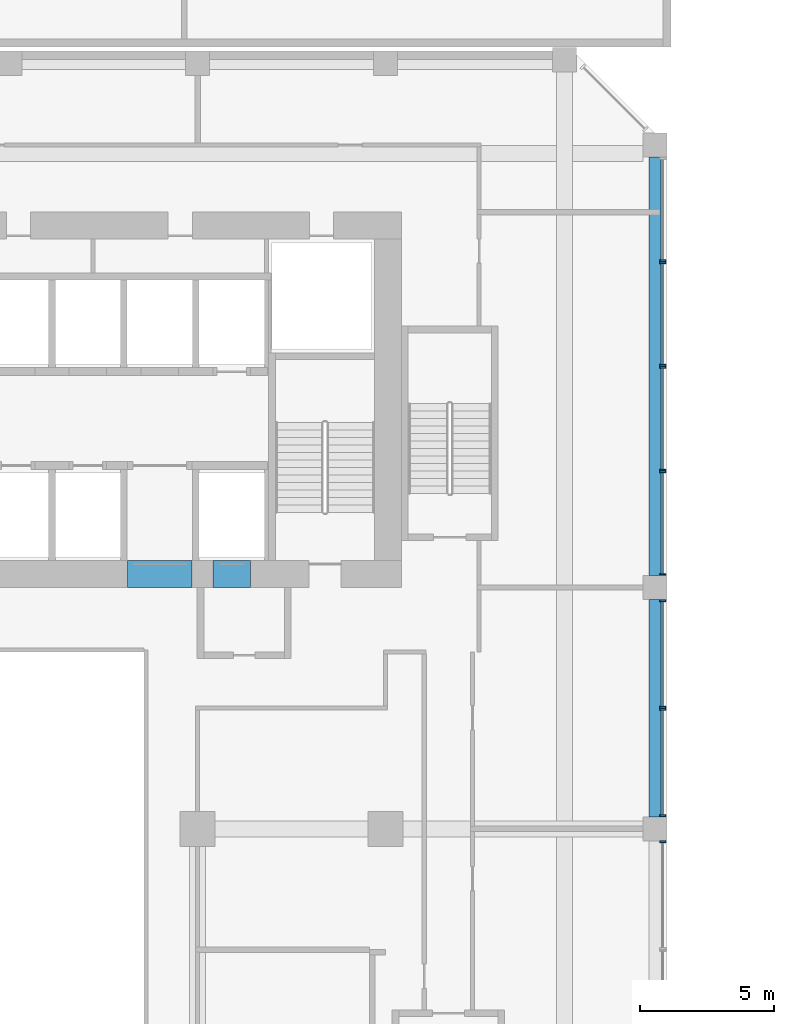
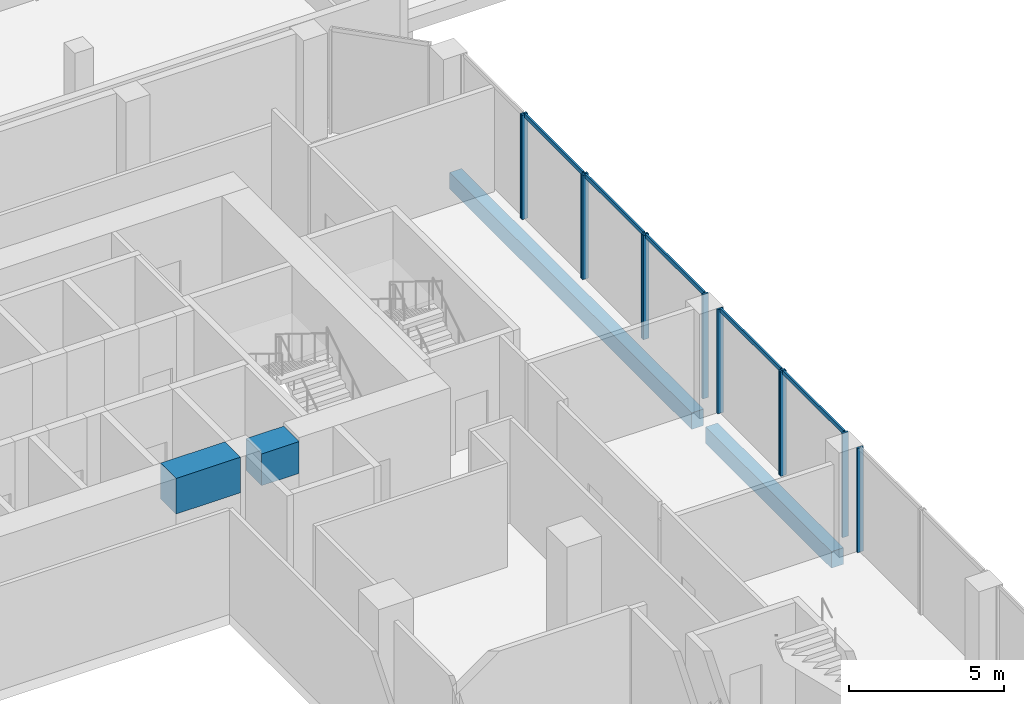
# One storey, part 7 of 36: 17 members, 4 beams, 7 elements without a shape of their own.
"""IFC4 building model written with IfcOpenShell, lengths in metres."""

from ifc_helpers import new_model, si_unit, direction, frame, origin, origin_2d, place, context, subcontext, project, spatial, rectangle, extrude, source, transform, mapped, material, material_profile, profile_set, type_object, element, aggregate, save


model = new_model("IFC4")

# Units and contexts
model_context = context("Model", 3, precision=1e-05, world=origin(), true_north=direction((0.0, 1.0)))
body_context = subcontext(model_context, "Body", "Model", "MODEL_VIEW")
ifc_project = project(units=[si_unit("LENGTHUNIT", "METRE"), si_unit("AREAUNIT", "SQUARE_METRE"), si_unit("VOLUMEUNIT", "CUBIC_METRE"), si_unit("PLANEANGLEUNIT", "RADIAN"), si_unit("MASSUNIT", "GRAM", prefix="KILO")], contexts=[model_context])

# Site, building, storey
site_placement = place(None, origin())
site = spatial("IfcSite", under=ifc_project, at=site_placement, CompositionType="ELEMENT")
building_placement = place(site_placement, origin())
building = spatial("IfcBuilding", under=site, at=building_placement, Name="Kilnfold Tower and Market Hall", CompositionType="ELEMENT")
storey_placement = place(building_placement, frame((0.0, 0.0, 18.0)))
storey = spatial("IfcBuildingStorey", under=building, at=storey_placement, Name="L03", CompositionType="ELEMENT", Elevation=18.0)

# Beams
ifc_material_1 = material(Name="Concrete C80", Category="concrete")
ifc_material_profile_1 = material_profile(ifc_material_1, rectangle(XDim=1.0, YDim=1.25, at=origin_2d()), Name="RC 1000x1250")
ifc_profile_set_1 = profile_set([ifc_material_profile_1], Name="Concrete C80")
beam_type_1 = type_object("IfcBeamType", Name="COUPLING BEAM 1000X1250 C80", PredefinedType="BEAM", material=ifc_profile_set_1)
shared_shape_1 = source(origin(), body_context, "Body", "SweptSolid", [
    extrude(rectangle(XDim=1.0, YDim=1.25, at=origin_2d()), origin(), (0.0, 0.0, 1.0), 1.39990234375),
])
beam_1_placement = place(storey_placement, frame((11.070068359375, 8.5, 3.324951171875), z_axis=(1.0, 0.0, 0.0), x_axis=(0.0, 1.0, 0.0)))
element("IfcBeam", 1, at=beam_1_placement, inside=storey, type_object=beam_type_1, Name="Coupling beam CB1250-80-CORE.46", PredefinedType="BEAM", context=body_context, shape_type="MappedRepresentation", body=[
    mapped(shared_shape_1, transform((0.0, 0.0, 0.0))),
])
ifc_material_2 = material(Name="Concrete C80", Category="concrete")
ifc_material_profile_2 = material_profile(ifc_material_2, rectangle(XDim=1.0, YDim=1.39990234375, at=origin_2d()), Name="RC 1000x1400")
ifc_profile_set_2 = profile_set([ifc_material_profile_2], Name="Concrete C80")
beam_type_2 = type_object("IfcBeamType", Name="COUPLING BEAM 1000X1400 C80", PredefinedType="BEAM", material=ifc_profile_set_2)
shared_shape_2 = source(origin(), body_context, "Body", "SweptSolid", [
    extrude(rectangle(XDim=1.0, YDim=1.39990234375, at=origin_2d()), origin(), (0.0, 0.0, 1.0), 2.400146484375),
])
beam_2_placement = place(storey_placement, frame((7.889892578125, 8.5, 3.39990234375), z_axis=(1.0, 0.0, 0.0), x_axis=(0.0, 1.0, 0.0)))
element("IfcBeam", 2, at=beam_2_placement, inside=storey, type_object=beam_type_2, Name="Coupling beam CB1400-80-CORE.45", PredefinedType="BEAM", context=body_context, shape_type="MappedRepresentation", body=[
    mapped(shared_shape_2, transform((0.0, 0.0, 0.0))),
])
ifc_material_3 = material(Name="Concrete C45", Category="concrete")
ifc_material_profile_3 = material_profile(ifc_material_3, rectangle(XDim=0.449951171875, YDim=0.64990234375, at=origin_2d()), Name="RC 450x650")
ifc_profile_set_3 = profile_set([ifc_material_profile_3], Name="Concrete C45")
beam_type_3 = type_object("IfcBeamType", Name="EDGE BEAM 450X650 C45", PredefinedType="BEAM", material=ifc_profile_set_3)
shared_shape_3 = source(origin(), body_context, "Body", "SweptSolid", [
    extrude(rectangle(XDim=0.449951171875, YDim=0.64990234375, at=origin_2d()), origin(), (0.0, 0.0, 1.0), 8.10009765625),
])
beam_3_placement = place(storey_placement, frame((27.550048828125, -0.550048828125, -0.72509765625), z_axis=(0.0, 1.0, 0.0), x_axis=(-1.0, 0.0, 0.0)))
element("IfcBeam", 3, at=beam_3_placement, inside=storey, type_object=beam_type_3, Name="Beam EB650-B1.53", PredefinedType="BEAM", context=body_context, shape_type="MappedRepresentation", body=[
    mapped(shared_shape_3, transform((0.0, 0.0, 0.0))),
])
shared_shape_4 = source(origin(), body_context, "Body", "SweptSolid", [
    extrude(rectangle(XDim=0.449951171875, YDim=0.64990234375, at=origin_2d()), origin(), (0.0, 0.0, 1.0), 15.60009765625),
])
beam_4_placement = place(storey_placement, frame((27.550048828125, 8.449951171875, -0.72509765625), z_axis=(0.0, 1.0, 0.0), x_axis=(-1.0, 0.0, 0.0)))
element("IfcBeam", 4, at=beam_4_placement, inside=storey, type_object=beam_type_3, Name="Beam EB650-B1.59", PredefinedType="BEAM", context=body_context, shape_type="MappedRepresentation", body=[
    mapped(shared_shape_4, transform((0.0, 0.0, 0.0))),
])

# Curtain wall, member
ifc_material_4 = material(Name="Aluminium and double glazing", Category="aluminium")
curtain_wall_type = type_object("IfcCurtainWallType", Name="CW BASE PODIUM GLAZING", PredefinedType="NOTDEFINED", material=ifc_material_4)
curtain_wall_1_placement = place(storey_placement, origin())
curtain_wall_1 = element("IfcCurtainWall", 5, at=curtain_wall_1_placement, inside=storey, type_object=curtain_wall_type, Name="Curtain wall CW4 L03 E", PredefinedType="NOTDEFINED")
ifc_material_5 = material(Name="Aluminium", Category="aluminium")
ifc_material_profile_4 = material_profile(ifc_material_5, rectangle(XDim=0.070068359375, YDim=0.219970703125, at=origin_2d()), Name="MULLION 70x220")
ifc_profile_set_4 = profile_set([ifc_material_profile_4], Name="Aluminium")
member_type_1 = type_object("IfcMemberType", Name="MULLION 70X220", PredefinedType="MULLION", material=ifc_profile_set_4)
shared_shape_5 = source(origin(), body_context, "Body", "SweptSolid", [
    extrude(rectangle(XDim=0.070068359375, YDim=0.219970703125, at=origin_2d()), origin(), (0.0, 0.0, 1.0), 4.10009765625),
])
member_1_placement = place(storey_placement, frame((27.85009765625, -1.485107421875, 0.0), z_axis=(0.0, 0.0, 1.0), x_axis=(0.0, 1.0, 0.0)))
member_1 = element("IfcMember", 6, at=member_1_placement, type_object=member_type_1, Name="CW4 mullion 2", PredefinedType="MULLION", context=body_context, shape_type="MappedRepresentation", body=[
    mapped(shared_shape_5, transform((0.0, 0.0, 0.0))),
])
aggregate(curtain_wall_1, [member_1])

# Curtain wall, members
curtain_wall_2_placement = place(storey_placement, origin())
curtain_wall_2 = element("IfcCurtainWall", 7, at=curtain_wall_2_placement, inside=storey, type_object=curtain_wall_type, Name="Curtain wall CW4 L03 E", PredefinedType="NOTDEFINED")
member_2_placement = place(storey_placement, frame((27.85009765625, -0.514892578125, 0.0), z_axis=(0.0, 0.0, 1.0), x_axis=(0.0, 1.0, 0.0)))
member_2 = element("IfcMember", 8, at=member_2_placement, type_object=member_type_1, Name="CW4 mullion 1", PredefinedType="MULLION", context=body_context, shape_type="MappedRepresentation", body=[
    mapped(shared_shape_5, transform((0.0, 0.0, 0.0))),
])
member_3_placement = place(storey_placement, frame((27.85009765625, 3.465087890625, 0.0), z_axis=(0.0, 0.0, 1.0), x_axis=(0.0, 1.0, 0.0)))
member_3 = element("IfcMember", 9, at=member_3_placement, type_object=member_type_1, Name="CW4 mullion 2", PredefinedType="MULLION", context=body_context, shape_type="MappedRepresentation", body=[
    mapped(shared_shape_5, transform((0.0, 0.0, 0.0))),
])

curtain_wall_3_placement = place(storey_placement, origin())
curtain_wall_3 = element("IfcCurtainWall", 10, at=curtain_wall_3_placement, inside=storey, type_object=curtain_wall_type, Name="Curtain wall CW4 L03 E", PredefinedType="NOTDEFINED")
member_4_placement = place(storey_placement, frame((27.85009765625, 3.534912109375, 0.0), z_axis=(0.0, 0.0, 1.0), x_axis=(0.0, 1.0, 0.0)))
member_4 = element("IfcMember", 11, at=member_4_placement, type_object=member_type_1, Name="CW4 mullion 1", PredefinedType="MULLION", context=body_context, shape_type="MappedRepresentation", body=[
    mapped(shared_shape_5, transform((0.0, 0.0, 0.0))),
])
member_5_placement = place(storey_placement, frame((27.85009765625, 7.514892578125, 0.0), z_axis=(0.0, 0.0, 1.0), x_axis=(0.0, 1.0, 0.0)))
member_5 = element("IfcMember", 12, at=member_5_placement, type_object=member_type_1, Name="CW4 mullion 2", PredefinedType="MULLION", context=body_context, shape_type="MappedRepresentation", body=[
    mapped(shared_shape_5, transform((0.0, 0.0, 0.0))),
])

curtain_wall_4_placement = place(storey_placement, origin())
curtain_wall_4 = element("IfcCurtainWall", 13, at=curtain_wall_4_placement, inside=storey, type_object=curtain_wall_type, Name="Curtain wall CW4 L03 E", PredefinedType="NOTDEFINED")
member_6_placement = place(storey_placement, frame((27.85009765625, 8.485107421875, 0.0), z_axis=(0.0, 0.0, 1.0), x_axis=(0.0, 1.0, 0.0)))
member_6 = element("IfcMember", 14, at=member_6_placement, type_object=member_type_1, Name="CW4 mullion 1", PredefinedType="MULLION", context=body_context, shape_type="MappedRepresentation", body=[
    mapped(shared_shape_5, transform((0.0, 0.0, 0.0))),
])
member_7_placement = place(storey_placement, frame((27.85009765625, 12.31494140625, 0.0), z_axis=(0.0, 0.0, 1.0), x_axis=(0.0, 1.0, 0.0)))
member_7 = element("IfcMember", 15, at=member_7_placement, type_object=member_type_1, Name="CW4 mullion 2", PredefinedType="MULLION", context=body_context, shape_type="MappedRepresentation", body=[
    mapped(shared_shape_5, transform((0.0, 0.0, 0.0))),
])

curtain_wall_5_placement = place(storey_placement, origin())
curtain_wall_5 = element("IfcCurtainWall", 16, at=curtain_wall_5_placement, inside=storey, type_object=curtain_wall_type, Name="Curtain wall CW4 L03 E", PredefinedType="NOTDEFINED")
member_8_placement = place(storey_placement, frame((27.85009765625, 12.385009765625, 0.0), z_axis=(0.0, 0.0, 1.0), x_axis=(0.0, 1.0, 0.0)))
member_8 = element("IfcMember", 17, at=member_8_placement, type_object=member_type_1, Name="CW4 mullion 1", PredefinedType="MULLION", context=body_context, shape_type="MappedRepresentation", body=[
    mapped(shared_shape_5, transform((0.0, 0.0, 0.0))),
])
member_9_placement = place(storey_placement, frame((27.85009765625, 16.215087890625, 0.0), z_axis=(0.0, 0.0, 1.0), x_axis=(0.0, 1.0, 0.0)))
member_9 = element("IfcMember", 18, at=member_9_placement, type_object=member_type_1, Name="CW4 mullion 2", PredefinedType="MULLION", context=body_context, shape_type="MappedRepresentation", body=[
    mapped(shared_shape_5, transform((0.0, 0.0, 0.0))),
])

curtain_wall_6_placement = place(storey_placement, origin())
curtain_wall_6 = element("IfcCurtainWall", 19, at=curtain_wall_6_placement, inside=storey, type_object=curtain_wall_type, Name="Curtain wall CW4 L03 E", PredefinedType="NOTDEFINED")
member_10_placement = place(storey_placement, frame((27.85009765625, 16.284912109375, 0.0), z_axis=(0.0, 0.0, 1.0), x_axis=(0.0, 1.0, 0.0)))
member_10 = element("IfcMember", 20, at=member_10_placement, type_object=member_type_1, Name="CW4 mullion 1", PredefinedType="MULLION", context=body_context, shape_type="MappedRepresentation", body=[
    mapped(shared_shape_5, transform((0.0, 0.0, 0.0))),
])
member_11_placement = place(storey_placement, frame((27.85009765625, 20.114990234375, 0.0), z_axis=(0.0, 0.0, 1.0), x_axis=(0.0, 1.0, 0.0)))
member_11 = element("IfcMember", 21, at=member_11_placement, type_object=member_type_1, Name="CW4 mullion 2", PredefinedType="MULLION", context=body_context, shape_type="MappedRepresentation", body=[
    mapped(shared_shape_5, transform((0.0, 0.0, 0.0))),
])

# Curtain wall, member
curtain_wall_7_placement = place(storey_placement, origin())
curtain_wall_7 = element("IfcCurtainWall", 22, at=curtain_wall_7_placement, inside=storey, type_object=curtain_wall_type, Name="Curtain wall CW4 L03 E", PredefinedType="NOTDEFINED")
member_12_placement = place(storey_placement, frame((27.85009765625, 20.18505859375, 0.0), z_axis=(0.0, 0.0, 1.0), x_axis=(0.0, 1.0, 0.0)))
member_12 = element("IfcMember", 23, at=member_12_placement, type_object=member_type_1, Name="CW4 mullion 1", PredefinedType="MULLION", context=body_context, shape_type="MappedRepresentation", body=[
    mapped(shared_shape_5, transform((0.0, 0.0, 0.0))),
])
aggregate(curtain_wall_7, [member_12])

# Member
ifc_material_6 = material(Name="Aluminium", Category="aluminium")
ifc_material_profile_5 = material_profile(ifc_material_6, rectangle(XDim=0.070068359375, YDim=0.159912109375, at=origin_2d()), Name="TRANSOM 70x160")
ifc_profile_set_5 = profile_set([ifc_material_profile_5], Name="Aluminium")
member_type_2 = type_object("IfcMemberType", Name="TRANSOM 70X160", PredefinedType="USERDEFINED", material=ifc_profile_set_5)
shared_shape_6 = source(origin(), body_context, "Body", "SweptSolid", [
    extrude(rectangle(XDim=0.070068359375, YDim=0.159912109375, at=origin_2d()), origin(), (0.0, 0.0, 1.0), 3.909912109375),
])
member_13_placement = place(storey_placement, frame((27.85009765625, -0.47998046875, 4.06494140625), z_axis=(0.0, 1.0, 0.0), x_axis=(-1.0, 0.0, 0.0)))
member_13 = element("IfcMember", 24, at=member_13_placement, type_object=member_type_2, Name="CW4 transom 1.2", ObjectType="TRANSOM", PredefinedType="USERDEFINED", context=body_context, shape_type="MappedRepresentation", body=[
    mapped(shared_shape_6, transform((0.0, 0.0, 0.0))),
])

aggregate(curtain_wall_2, [member_2, member_3, member_13])

member_14_placement = place(storey_placement, frame((27.85009765625, 3.570068359375, 4.06494140625), z_axis=(0.0, 1.0, 0.0), x_axis=(-1.0, 0.0, 0.0)))
member_14 = element("IfcMember", 25, at=member_14_placement, type_object=member_type_2, Name="CW4 transom 1.2", ObjectType="TRANSOM", PredefinedType="USERDEFINED", context=body_context, shape_type="MappedRepresentation", body=[
    mapped(shared_shape_6, transform((0.0, 0.0, 0.0))),
])

aggregate(curtain_wall_3, [member_4, member_5, member_14])

shared_shape_7 = source(origin(), body_context, "Body", "SweptSolid", [
    extrude(rectangle(XDim=0.070068359375, YDim=0.159912109375, at=origin_2d()), origin(), (0.0, 0.0, 1.0), 3.760009765625),
])
member_15_placement = place(storey_placement, frame((27.85009765625, 8.52001953125, 4.06494140625), z_axis=(0.0, 1.0, 0.0), x_axis=(-1.0, 0.0, 0.0)))
member_15 = element("IfcMember", 26, at=member_15_placement, type_object=member_type_2, Name="CW4 transom 1.2", ObjectType="TRANSOM", PredefinedType="USERDEFINED", context=body_context, shape_type="MappedRepresentation", body=[
    mapped(shared_shape_7, transform((0.0, 0.0, 0.0))),
])

aggregate(curtain_wall_4, [member_6, member_7, member_15])

member_16_placement = place(storey_placement, frame((27.85009765625, 12.419921875, 4.06494140625), z_axis=(0.0, 1.0, 0.0), x_axis=(-1.0, 0.0, 0.0)))
member_16 = element("IfcMember", 27, at=member_16_placement, type_object=member_type_2, Name="CW4 transom 1.2", ObjectType="TRANSOM", PredefinedType="USERDEFINED", context=body_context, shape_type="MappedRepresentation", body=[
    mapped(shared_shape_7, transform((0.0, 0.0, 0.0))),
])

aggregate(curtain_wall_5, [member_8, member_9, member_16])

member_17_placement = place(storey_placement, frame((27.85009765625, 16.320068359375, 4.06494140625), z_axis=(0.0, 1.0, 0.0), x_axis=(-1.0, 0.0, 0.0)))
member_17 = element("IfcMember", 28, at=member_17_placement, type_object=member_type_2, Name="CW4 transom 1.2", ObjectType="TRANSOM", PredefinedType="USERDEFINED", context=body_context, shape_type="MappedRepresentation", body=[
    mapped(shared_shape_7, transform((0.0, 0.0, 0.0))),
])

aggregate(curtain_wall_6, [member_10, member_11, member_17])

save(model, "model.ifc")
